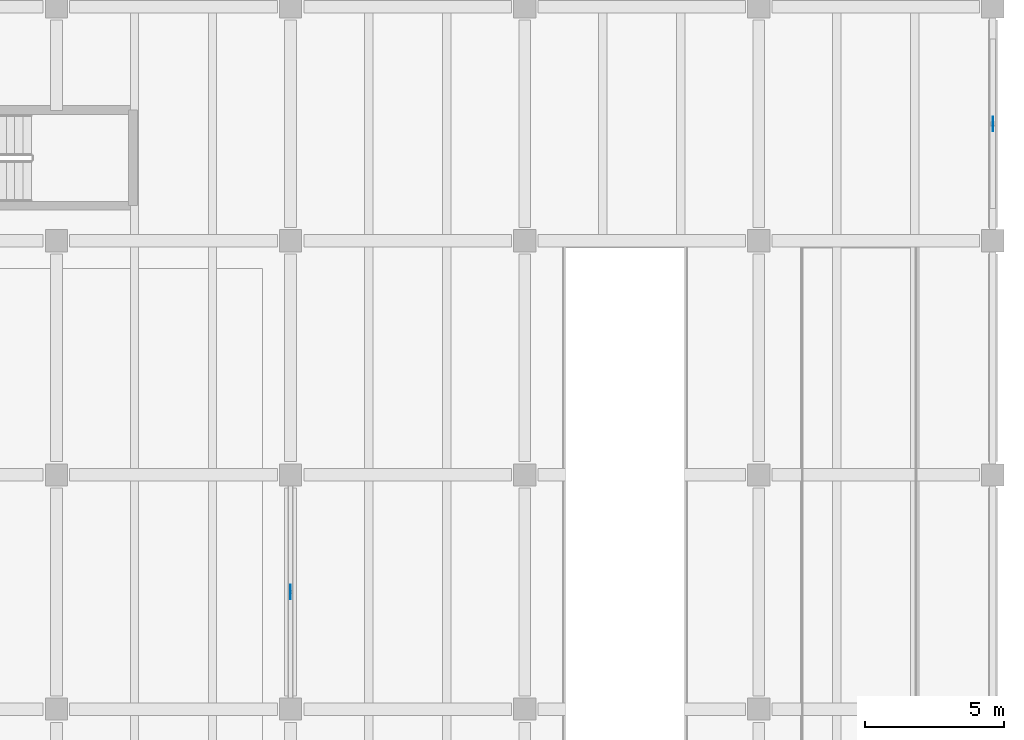
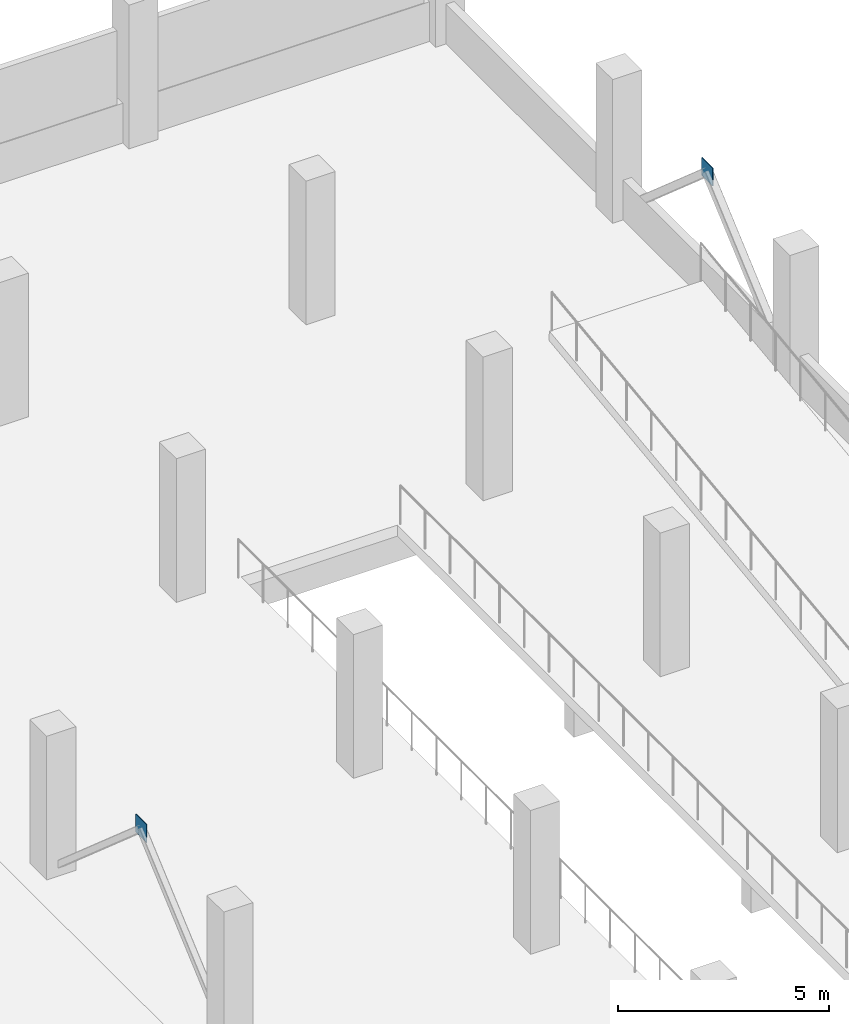
# One storey, part 146 of 177: 2 plates.
"""IFC4 building model written with IfcOpenShell, lengths in metres."""

import ifcopenshell
import ifcopenshell.guid

model = None  # the IFC model being written
_history = None  # IfcOwnerHistory: only IFC2X3 demands one
_inside = {}  # id of a spatial element -> (the spatial element, [elements in it])
_under = {}  # id of a project, library or spatial element -> (it, [spatial elements below it])
_declared = {}  # id of a project -> (the project, [libraries it declares])
_typed = {}  # id of a type object -> (the type object, [elements of that type])
_made_of = {}  # id of a material, layer set ... -> (it, [elements and type objects made of it])


def new_model(schema):
    """Start an empty IFC model of exactly this schema.

    Asked for "IFC4X3", IfcOpenShell would pick the latest addendum, in which some entities
    have other attributes; the version numbers below select the first issue.
    IFC2X3 requires an IfcOwnerHistory on every rooted entity: one is made here for all.
    """
    global model, _history
    if schema == "IFC4X3":
        model = ifcopenshell.file(schema_version=(4, 3, 0, 0))
    else:
        model = ifcopenshell.file(schema=schema)
    _inside.clear()
    _under.clear()
    _declared.clear()
    _typed.clear()
    _made_of.clear()
    _history = None
    if model.schema == "IFC2X3":
        org = make("IfcOrganization", Name="unknown")
        user = make(
            "IfcPersonAndOrganization",
            ThePerson=make("IfcPerson", FamilyName="unknown"),
            TheOrganization=org,
        )
        app = make(
            "IfcApplication",
            ApplicationDeveloper=org,
            Version="unknown",
            ApplicationFullName="unknown",
            ApplicationIdentifier="unknown",
        )
        _history = make(
            "IfcOwnerHistory",
            OwningUser=user,
            OwningApplication=app,
            ChangeAction="ADDED",
            CreationDate=0,
        )
    return model


def make(cls, **values):
    """One entity of the class cls with the attributes given. An attribute that is None is left unset."""
    return model.create_entity(
        cls, **{name: value for name, value in values.items() if value is not None}
    )


def rooted(cls, **values):
    """An entity with a GlobalId (a new one), such as an element, a storey or a relation."""
    return make(cls, GlobalId=ifcopenshell.guid.new(), OwnerHistory=_history, **values)


def si_unit(unit_type, name, prefix=None):
    """IfcSIUnit, for example si_unit("LENGTHUNIT", "METRE", prefix="MILLI")."""
    return make("IfcSIUnit", UnitType=unit_type, Prefix=prefix, Name=name)


def assignment(units):
    """IfcUnitAssignment: the units of a project."""
    return None if units is None else make("IfcUnitAssignment", Units=units)


def point(xyz):
    """IfcCartesianPoint."""
    return None if xyz is None else make("IfcCartesianPoint", Coordinates=xyz)


def direction(xyz):
    """IfcDirection."""
    return None if xyz is None else make("IfcDirection", DirectionRatios=xyz)


def frame(location, z_axis=None, x_axis=None):
    """IfcAxis2Placement3D, a coordinate frame: its origin and axes. An axis left out is left unset."""
    return make(
        "IfcAxis2Placement3D",
        Location=point(location),
        Axis=direction(z_axis),
        RefDirection=direction(x_axis),
    )


def frame_2d(location, x_axis=None):
    """IfcAxis2Placement2D, a coordinate frame in the plane: its origin and x axis."""
    return make(
        "IfcAxis2Placement2D", Location=point(location), RefDirection=direction(x_axis)
    )


def origin():
    """The frame at (0, 0, 0) with its axes left unset."""
    return frame((0.0, 0.0, 0.0))


def origin_2d():
    """The frame at (0, 0) in the plane with its x axis left unset."""
    return frame_2d((0.0, 0.0))


def place(relative_to, where):
    """IfcLocalPlacement: puts the frame where relative to a parent placement (None: the world)."""
    return make(
        "IfcLocalPlacement", PlacementRelTo=relative_to, RelativePlacement=where
    )


def context(
    kind, dimensions, precision=None, world=None, true_north=None, identifier=None
):
    """IfcGeometricRepresentationContext, for example the 3D "Model" context."""
    return make(
        "IfcGeometricRepresentationContext",
        ContextIdentifier=identifier,
        ContextType=kind,
        CoordinateSpaceDimension=dimensions,
        Precision=precision,
        WorldCoordinateSystem=world,
        TrueNorth=true_north,
    )


def subcontext(parent, identifier, kind, view, scale=None):
    """IfcGeometricRepresentationSubContext, for example "Body" below "Model"."""
    return make(
        "IfcGeometricRepresentationSubContext",
        ContextIdentifier=identifier,
        ContextType=kind,
        ParentContext=parent,
        TargetScale=scale,
        TargetView=view,
    )


def project(units=None, contexts=None):
    """IfcProject with its units and contexts."""
    return rooted(
        "IfcProject",
        Name="project",
        RepresentationContexts=contexts,
        UnitsInContext=assignment(units),
    )


def spatial(cls, under=None, at=None, **own):
    """A site, building, storey or space (cls), placed at a placement, below another one or the project."""
    s = rooted(cls, ObjectPlacement=at, **own)
    if under is not None:
        _under.setdefault(under.id(), (under, []))[1].append(s)
    return s


def profile(cls, at=None, kind="AREA", **sizes):
    """A parametric profile (cls). Its sizes go by their IFC names, for example OverallWidth=200.0."""
    return make(cls, ProfileType=kind, Position=at, **sizes)


def rectangle(**sizes):
    """IfcRectangleProfileDef."""
    return profile("IfcRectangleProfileDef", **sizes)


def extrude(swept, where, along, depth):
    """IfcExtrudedAreaSolid: the profile swept, set in the frame where, extruded along a direction by depth."""
    return make(
        "IfcExtrudedAreaSolid",
        SweptArea=swept,
        Position=where,
        ExtrudedDirection=direction(along),
        Depth=depth,
    )


def shape(context_of_items, identifier, shape_type, items):
    """IfcShapeRepresentation: the items that make up one representation, for example the "Body"."""
    return make(
        "IfcShapeRepresentation",
        ContextOfItems=context_of_items,
        RepresentationIdentifier=identifier,
        RepresentationType=shape_type,
        Items=items,
    )


def material(Name=None, Category=None):
    """IfcMaterial."""
    return make("IfcMaterial", Name=Name, Category=Category)


def layer(
    of_material, thickness, ventilated=None, Name=None, Category=None, Priority=None
):
    """IfcMaterialLayer: one layer of a wall or slab, of a material (None: an air gap)."""
    return make(
        "IfcMaterialLayer",
        Material=of_material,
        LayerThickness=thickness,
        IsVentilated=ventilated,
        Name=Name,
        Category=Category,
        Priority=Priority,
    )


def layer_set(layers, Name=None):
    """IfcMaterialLayerSet."""
    return make("IfcMaterialLayerSet", MaterialLayers=layers, LayerSetName=Name)


def made_of(thing, what):
    """Note that an element or type object is made of a material, layer set ...; save() writes the relation."""
    if what is not None:
        _made_of.setdefault(what.id(), (what, []))[1].append(thing)
    return thing


def type_object(cls, material=None, **own):
    """A type object (cls), such as IfcWallType, which elements share."""
    return made_of(rooted(cls, **own), material)


def element(
    cls,
    number,
    at=None,
    inside=None,
    cuts=None,
    type_object=None,
    material=None,
    context=None,
    identifier="Body",
    shape_type=None,
    held_by="IfcProductDefinitionShape",
    body=None,
    shapes=None,
    **own,
):
    """One element of the class cls, such as IfcWall. Its Tag is "e" and its number.

    at: its placement. inside: the storey or other place that contains it. cuts: it is an
    opening in that element (IfcRelVoidsElement). A single representation is given by context,
    identifier, shape_type and body (its items); several are given by shapes. held_by: the class
    of the entity that holds the representations. save() writes the other relations.
    """
    e = rooted(cls, Tag="e%d" % number, ObjectPlacement=at, **own)
    if body is not None:
        shapes = [shape(context, identifier, shape_type, body)]
    if shapes is not None:
        e.Representation = make(held_by, Representations=shapes)
    if inside is not None:
        _inside.setdefault(inside.id(), (inside, []))[1].append(e)
    if cuts is not None:
        rooted(
            "IfcRelVoidsElement", RelatingBuildingElement=cuts, RelatedOpeningElement=e
        )
    if type_object is not None:
        _typed.setdefault(type_object.id(), (type_object, []))[1].append(e)
    return made_of(e, material)


def aggregate(whole, parts):
    """IfcRelAggregates: a whole, such as a stair, and the parts it consists of."""
    return rooted("IfcRelAggregates", RelatingObject=whole, RelatedObjects=parts)


def save(model, path):
    """Write the relations noted so far, then the file.

    IfcRelAggregates (storeys below a building ...), IfcRelContainedInSpatialStructure (elements
    in a storey), IfcRelDefinesByType, IfcRelAssociatesMaterial and IfcRelDeclares: one each for
    every whole, place, type object, material and project.
    """
    for whole, parts in _under.values():
        aggregate(whole, parts)
    for where, things in _inside.values():
        rooted(
            "IfcRelContainedInSpatialStructure",
            RelatedElements=things,
            RelatingStructure=where,
        )
    for kind, things in _typed.values():
        rooted("IfcRelDefinesByType", RelatedObjects=things, RelatingType=kind)
    for what, things in _made_of.values():
        rooted("IfcRelAssociatesMaterial", RelatedObjects=things, RelatingMaterial=what)
    for by, libraries in _declared.values():
        rooted("IfcRelDeclares", RelatingContext=by, RelatedDefinitions=libraries)
    model.write(path)


model = new_model("IFC4")

# Units and contexts
model_context = context("Model", 3, precision=1e-05, world=origin(), true_north=direction((0.0, 1.0)))
body_context = subcontext(model_context, "Body", "Model", "MODEL_VIEW")
ifc_project = project(units=[si_unit("LENGTHUNIT", "METRE"), si_unit("AREAUNIT", "SQUARE_METRE"), si_unit("VOLUMEUNIT", "CUBIC_METRE"), si_unit("PLANEANGLEUNIT", "RADIAN"), si_unit("MASSUNIT", "GRAM", prefix="KILO"), si_unit("THERMODYNAMICTEMPERATUREUNIT", "KELVIN"), si_unit("POWERUNIT", "WATT")], contexts=[model_context])

# Site, building, storey
site_placement = place(None, origin())
site = spatial("IfcSite", under=ifc_project, at=site_placement, CompositionType="ELEMENT")
building_placement = place(site_placement, origin())
building = spatial("IfcBuilding", under=site, at=building_placement, Name="Mavoryth Pier Ferry Terminal", CompositionType="ELEMENT")
storey_placement = place(building_placement, frame((0.0, 0.0, 5.43994140625)))
storey = spatial("IfcBuildingStorey", under=building, at=storey_placement, Name="L01", CompositionType="ELEMENT", Elevation=5.43994140625)

# Plates
ifc_material = material(Name="Steel S355J2", Category="steel")
ifc_layer = layer(ifc_material, 0.02001953125, Name="Steel S355J2", Category="steel")
ifc_layer_set = layer_set([ifc_layer], Name="Steel S355J2 - Plate-Gusset-520x520x20")
plate_type = type_object("IfcPlateType", Name="Plate-Gusset-520x520x20", PredefinedType="SHEET", material=ifc_layer_set)
for number, where, z_axis, x_axis, name in (
    (1, (142.800048828125, 43.0, 3.400146484375), (0.0, 0.0, 1.0), (0.0, 1.0, 0.0), "Steel Node Plate PL-L01-0083"),
    (2, (168.0, 59.800048828125, 3.400146484375), (0.0, 0.0, 1.0), (0.0, 1.0, 0.0), "Steel Node Plate PL-L01-0084"),
):
    element("IfcPlate", number, at=place(storey_placement, frame(where, z_axis=z_axis, x_axis=x_axis)), inside=storey, type_object=plate_type, Name=name, PredefinedType="SHEET", context=body_context, shape_type="SweptSolid", body=[
        extrude(rectangle(XDim=0.52001953125, YDim=0.02001953125, at=origin_2d()), origin(), (0.0, 0.0, 1.0), 0.52001953125),
    ])

save(model, "model.ifc")
